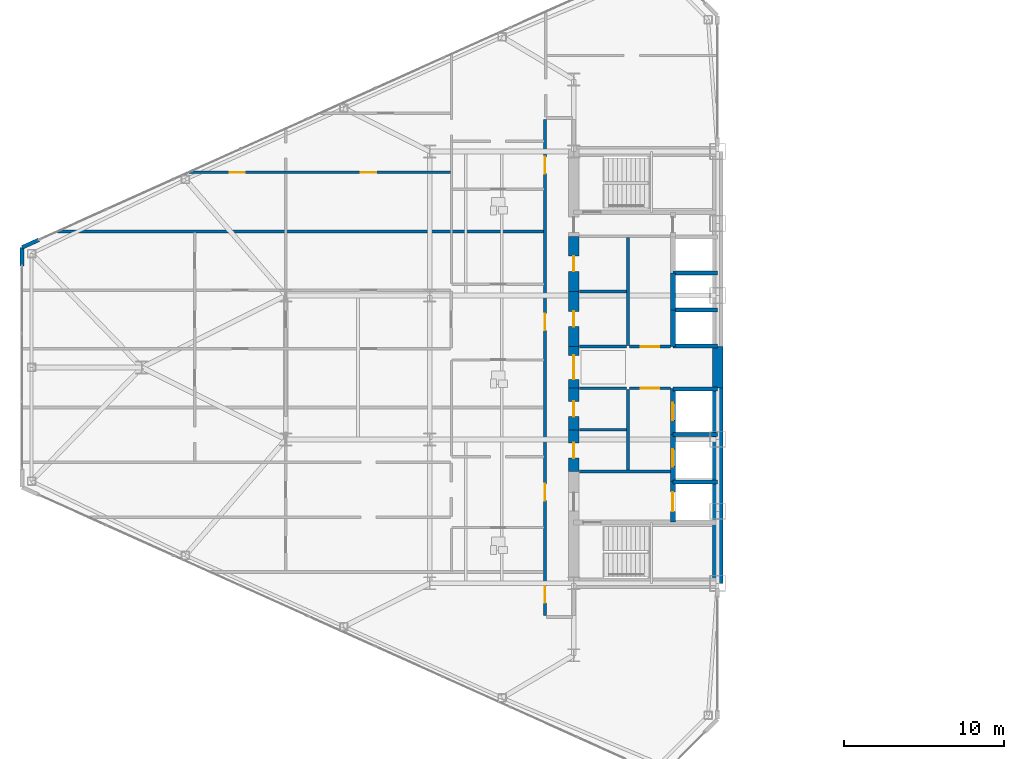
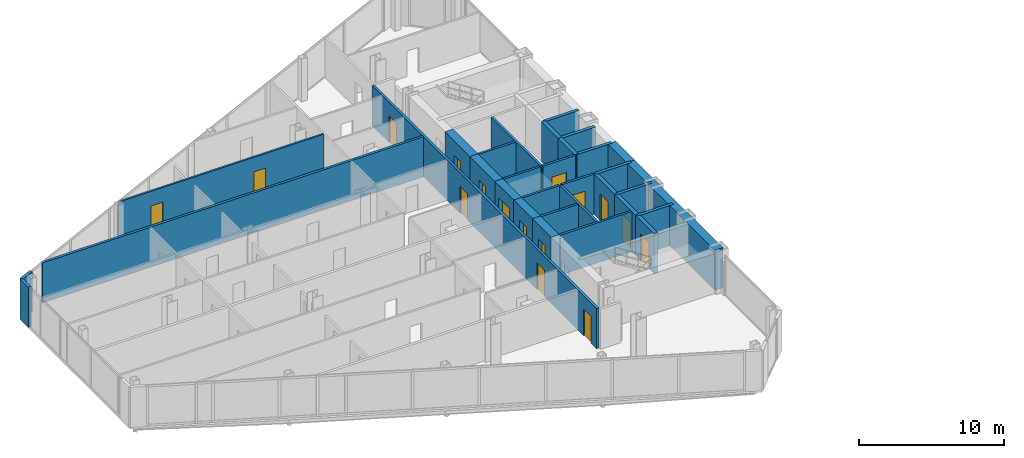
# One storey, part 20 of 27: 32 walls, 16 doors, 16 openings.
"""IFC4 building model written with IfcOpenShell, lengths in metres."""

from ifc_helpers import new_model, si_unit, direction, frame, frame_2d, origin, place, context, subcontext, project, spatial, rectangle, extrude, source, transform, mapped, material, layer, layer_set, type_object, type_shapes, element, fill, save


model = new_model("IFC4")

# Units and contexts
model_context = context("Model", 3, precision=1e-05, world=origin(), true_north=direction((0.0, 1.0)))
body_context = subcontext(model_context, "Body", "Model", "MODEL_VIEW")
ifc_project = project(units=[si_unit("LENGTHUNIT", "METRE"), si_unit("AREAUNIT", "SQUARE_METRE"), si_unit("VOLUMEUNIT", "CUBIC_METRE"), si_unit("PLANEANGLEUNIT", "RADIAN"), si_unit("MASSUNIT", "GRAM", prefix="KILO")], contexts=[model_context])

# Site, building, storey
site_placement = place(None, origin())
site = spatial("IfcSite", under=ifc_project, at=site_placement, CompositionType="ELEMENT")
building_placement = place(site_placement, origin())
building = spatial("IfcBuilding", under=site, at=building_placement, Name="Seokmaru Belvedere", CompositionType="ELEMENT")
storey_placement = place(building_placement, frame((0.0, 0.0, 92.39990234375)))
storey = spatial("IfcBuildingStorey", under=building, at=storey_placement, Name="L24", CompositionType="ELEMENT", Elevation=92.39990234375)

# Wall, openings, doors
ifc_material_1 = material(Name="Fire-Rated Gypsum Shaftwall")
ifc_layer_1 = layer(ifc_material_1, 0.14990234375)
ifc_layer_set_1 = layer_set([ifc_layer_1], Name="Fire-Rated Gypsum Shaftwall")
wall_type_1 = type_object("IfcWallType", Name="Apartment Fire-Acoustic Room Partition 150", PredefinedType="PARTITIONING", material=ifc_layer_set_1)
wall_1_placement = place(storey_placement, frame((-60.60302734375, 12.18994140625, 0.0), z_axis=(0.0, 0.0, 1.0), x_axis=(1.0, 0.0, 0.0)))
wall_1 = element("IfcWall", 1, at=wall_1_placement, inside=storey, type_object=wall_type_1, Name="L24 Interior Partition 024", PredefinedType="PARTITIONING", context=body_context, shape_type="SweptSolid", body=[
    extrude(rectangle(XDim=16.403076171875, YDim=0.14990234375, at=frame_2d((8.20166015625, 0.0))), origin(), (0.0, 0.0, 1.0), 3.380126953125),
])
opening_1_placement = place(wall_1_placement, frame((10.802978515625, 0.0, 0.0)))
opening_1 = element("IfcOpeningElement", 2, at=opening_1_placement, cuts=wall_1, Name="Opening D05", PredefinedType="OPENING", context=body_context, shape_type="SweptSolid", body=[
    extrude(rectangle(XDim=0.949951171875, YDim=2.14990234375, at=frame_2d((0.47509765625, 1.074951171875))), frame((0.0, 0.0849609375, 0.0), z_axis=(0.0, -1.0, 0.0), x_axis=(1.0, 0.0, 0.0)), (0.0, 0.0, 1.0), 0.169921875),
])
opening_2_placement = place(wall_1_placement, frame((2.59375, 0.0, 0.0)))
opening_2 = element("IfcOpeningElement", 3, at=opening_2_placement, cuts=wall_1, Name="Opening D05", PredefinedType="OPENING", context=body_context, shape_type="SweptSolid", body=[
    extrude(rectangle(XDim=0.949951171875, YDim=2.14990234375, at=frame_2d((0.47509765625, 1.074951171875))), frame((0.0, 0.0849609375, 0.0), z_axis=(0.0, -1.0, 0.0), x_axis=(1.0, 0.0, 0.0)), (0.0, 0.0, 1.0), 0.169921875),
])
ifc_material_2 = material(Name="Engineered White Oak Timber", Category="wood")
door_type_1 = type_object("IfcDoorType", Name="Apartment Interior Fire-Rated Oak Door 950x2150", OperationType="NOTDEFINED", PredefinedType="DOOR", material=ifc_material_2)
shared_shape_1 = source(origin(), body_context, "Body", "SweptSolid", [
    extrude(rectangle(XDim=0.949951171875, YDim=2.14990234375, at=frame_2d((0.47509765625, 1.074951171875))), frame((0.0, 0.02490234375, 0.0), z_axis=(0.0, -1.0, 0.0), x_axis=(1.0, 0.0, 0.0)), (0.0, 0.0, 1.0), 0.050048828125),
])
type_shapes(door_type_1, [shared_shape_1])
door_1_placement = place(opening_1_placement, origin())
door_1 = element("IfcDoor", 4, at=door_1_placement, inside=storey, type_object=door_type_1, Name="L24 Interior Door 029", OperationType="SINGLE_SWING_RIGHT", OverallHeight=2.14990234375, OverallWidth=0.949951171875, PredefinedType="DOOR", context=body_context, shape_type="MappedRepresentation", body=[
    mapped(shared_shape_1, transform((0.0, 0.0, 0.0), scale=1.0)),
])
fill(opening_1, door_1)
door_2_placement = place(opening_2_placement, origin())
door_2 = element("IfcDoor", 5, at=door_2_placement, inside=storey, type_object=door_type_1, Name="L24 Interior Door 031", OperationType="SINGLE_SWING_RIGHT", OverallHeight=2.14990234375, OverallWidth=0.949951171875, PredefinedType="DOOR", context=body_context, shape_type="MappedRepresentation", body=[
    mapped(shared_shape_1, transform((0.0, 0.0, 0.0), scale=1.0)),
])
fill(opening_2, door_2)

# Walls
ifc_layer_2 = layer(ifc_material_1, 0.179931640625)
ifc_layer_set_2 = layer_set([ifc_layer_2], Name="Fire-Rated Gypsum Shaftwall")
wall_type_2 = type_object("IfcWallType", Name="Core Service Fire Partition 180", PredefinedType="PARTITIONING", material=ifc_layer_set_2)
wall_2_placement = place(storey_placement, frame((-36.14990234375, -6.5, 0.0), z_axis=(0.0, 0.0, 1.0), x_axis=(1.0, 0.0, 0.0)))
element("IfcWall", 6, at=wall_2_placement, inside=storey, type_object=wall_type_2, Name="L24 West Firefighting Lobby Partition", PredefinedType="PARTITIONING", context=body_context, shape_type="SweptSolid", body=[
    extrude(rectangle(XDim=5.699951171875, YDim=0.179931640625, at=frame_2d((2.85009765625, 0.0))), origin(), (0.0, 0.0, 1.0), 3.380126953125),
])
wall_3_placement = place(storey_placement, frame((-33.10009765625, -6.419921875, 0.0), z_axis=(0.0, 0.0, 1.0), x_axis=(0.0, 1.0, 0.0)))
element("IfcWall", 7, at=wall_3_placement, inside=storey, type_object=wall_type_2, Name="L24 West South Core Service Back Wall", PredefinedType="PARTITIONING", context=body_context, shape_type="SweptSolid", body=[
    extrude(rectangle(XDim=5.0400390625, YDim=0.179931640625, at=frame_2d((2.52001953125, 0.0))), origin(), (0.0, 0.0, 1.0), 3.380126953125),
])
wall_4_placement = place(storey_placement, frame((-33.10009765625, 1.3798828125, 0.0), z_axis=(0.0, 0.0, 1.0), x_axis=(0.0, 1.0, 0.0)))
element("IfcWall", 8, at=wall_4_placement, inside=storey, type_object=wall_type_2, Name="L24 West North Core Service Back Wall", PredefinedType="PARTITIONING", context=body_context, shape_type="SweptSolid", body=[
    extrude(rectangle(XDim=6.740234375, YDim=0.179931640625, at=frame_2d((3.3701171875, 0.0))), origin(), (0.0, 0.0, 1.0), 3.380126953125),
])

# Wall, opening, door
wall_5_placement = place(storey_placement, frame((-33.02001953125, -1.300048828125, 0.0), z_axis=(0.0, 0.0, 1.0), x_axis=(1.0, 0.0, 0.0)))
wall_5 = element("IfcWall", 9, at=wall_5_placement, inside=storey, type_object=wall_type_2, Name="L24 West South Lift Lobby Foyer Wall", PredefinedType="PARTITIONING", context=body_context, shape_type="SweptSolid", body=[
    extrude(rectangle(XDim=2.570068359375, YDim=0.179931640625, at=frame_2d((1.28515625, 0.0))), origin(), (0.0, 0.0, 1.0), 3.380126953125),
])
opening_3_placement = place(wall_5_placement, frame((0.7099609375, 0.0, 0.0)))
opening_3 = element("IfcOpeningElement", 10, at=opening_3_placement, cuts=wall_5, Name="Opening D02", PredefinedType="OPENING", context=body_context, shape_type="SweptSolid", body=[
    extrude(rectangle(XDim=1.14990234375, YDim=2.199951171875, at=frame_2d((0.574951171875, 1.10009765625))), frame((0.0, 0.10009765625, 0.0), z_axis=(0.0, -1.0, 0.0), x_axis=(1.0, 0.0, 0.0)), (0.0, 0.0, 1.0), 0.199951171875),
])
ifc_material_3 = material(Name="Fire-Rated Steel Leaf", Category="steel")
door_type_2 = type_object("IfcDoorType", Name="Lobby and Vestibule Fire Door 1150x2200", OperationType="NOTDEFINED", PredefinedType="DOOR", material=ifc_material_3)
shared_shape_2 = source(origin(), body_context, "Body", "SweptSolid", [
    extrude(rectangle(XDim=1.14990234375, YDim=2.199951171875, at=frame_2d((0.574951171875, 1.10009765625))), frame((0.0, 0.02490234375, 0.0), z_axis=(0.0, -1.0, 0.0), x_axis=(1.0, 0.0, 0.0)), (0.0, 0.0, 1.0), 0.050048828125),
])
type_shapes(door_type_2, [shared_shape_2])
door_3_placement = place(opening_3_placement, origin())
door_3 = element("IfcDoor", 11, at=door_3_placement, inside=storey, type_object=door_type_2, Name="L24 West South Core Foyer Door", OperationType="SINGLE_SWING_LEFT", OverallHeight=2.199951171875, OverallWidth=1.14990234375, PredefinedType="DOOR", context=body_context, shape_type="MappedRepresentation", body=[
    mapped(shared_shape_2, transform((0.0, 0.0, 0.0), scale=1.0)),
])
fill(opening_3, door_3)

wall_6_placement = place(storey_placement, frame((-33.02001953125, 1.300048828125, 0.0), z_axis=(0.0, 0.0, 1.0), x_axis=(1.0, 0.0, 0.0)))
wall_6 = element("IfcWall", 12, at=wall_6_placement, inside=storey, type_object=wall_type_2, Name="L24 West North Lift Lobby Foyer Wall", PredefinedType="PARTITIONING", context=body_context, shape_type="SweptSolid", body=[
    extrude(rectangle(XDim=2.570068359375, YDim=0.179931640625, at=frame_2d((1.28515625, 0.0))), origin(), (0.0, 0.0, 1.0), 3.380126953125),
])
opening_4_placement = place(wall_6_placement, frame((0.7099609375, 0.0, 0.0)))
opening_4 = element("IfcOpeningElement", 13, at=opening_4_placement, cuts=wall_6, Name="Opening D02", PredefinedType="OPENING", context=body_context, shape_type="SweptSolid", body=[
    extrude(rectangle(XDim=1.14990234375, YDim=2.199951171875, at=frame_2d((0.574951171875, 1.10009765625))), frame((0.0, 0.10009765625, 0.0), z_axis=(0.0, -1.0, 0.0), x_axis=(1.0, 0.0, 0.0)), (0.0, 0.0, 1.0), 0.199951171875),
])
door_4_placement = place(opening_4_placement, origin())
door_4 = element("IfcDoor", 14, at=door_4_placement, inside=storey, type_object=door_type_2, Name="L24 West North Lift Lobby Door", OperationType="SINGLE_SWING_RIGHT", OverallHeight=2.199951171875, OverallWidth=1.14990234375, PredefinedType="DOOR", context=body_context, shape_type="MappedRepresentation", body=[
    mapped(shared_shape_2, transform((0.0, 0.0, 0.0), scale=1.0)),
])
fill(opening_4, door_4)

# Walls
for number, where, z_axis, x_axis, name in (
    (15, (-36.14990234375, -1.300048828125, 0.0), (0.0, 0.0, 1.0), (1.0, 0.0, 0.0), "L24 West Foyer Side Wall S"),
    (16, (-36.14990234375, 1.300048828125, 0.0), (0.0, 0.0, 1.0), (1.0, 0.0, 0.0), "L24 West Foyer Side Wall N"),
    (17, (-36.14990234375, -3.89990234375, 0.0), (0.0, 0.0, 1.0), (1.0, 0.0, 0.0), "L24 West Core Service Partition 1"),
    (18, (-36.14990234375, 4.75, 0.0), (0.0, 0.0, 1.0), (1.0, 0.0, 0.0), "L24 West Core Service Partition 2"),
):
    element("IfcWall", number, at=place(storey_placement, frame(where, z_axis=z_axis, x_axis=x_axis)), inside=storey, type_object=wall_type_2, Name=name, PredefinedType="PARTITIONING", context=body_context, shape_type="SweptSolid", body=[
        extrude(rectangle(XDim=2.949951171875, YDim=0.179931640625, at=frame_2d((1.47509765625, 0.0))), origin(), (0.0, 0.0, 1.0), 3.380126953125),
    ])
ifc_material_4 = material(Name="Concrete C50 (50 MPa)", Category="concrete")
ifc_layer_3 = layer(ifc_material_4, 0.25)
ifc_layer_set_3 = layer_set([ifc_layer_3], Name="Concrete C50 (50 MPa)")
wall_type_3 = type_object("IfcWallType", Name="Hoistway Transverse Concrete Divider Wall 250", PredefinedType="SHEAR", material=ifc_layer_set_3)
for number, where, z_axis, x_axis, name in (
    (19, (-30.300048828125, -7.14990234375, 0.0), (0.0, 0.0, 1.0), (1.0, 0.0, 0.0), "L24 West Hoistway Divider Core Wall 1"),
    (20, (-30.300048828125, -4.199951171875, 0.0), (0.0, 0.0, 1.0), (1.0, 0.0, 0.0), "L24 West Hoistway Divider Core Wall 2"),
    (21, (-30.300048828125, -1.35009765625, 0.0), (0.0, 0.0, 1.0), (1.0, 0.0, 0.0), "L24 West Hoistway Divider Core Wall 3"),
    (22, (-30.300048828125, 1.35009765625, 0.0), (0.0, 0.0, 1.0), (1.0, 0.0, 0.0), "L24 West Hoistway Divider Core Wall 4"),
    (23, (-30.300048828125, 3.60009765625, 0.0), (0.0, 0.0, 1.0), (1.0, 0.0, 0.0), "L24 West Hoistway Divider Core Wall 5"),
    (24, (-30.300048828125, 5.89990234375, 0.0), (0.0, 0.0, 1.0), (1.0, 0.0, 0.0), "L24 West Hoistway Divider Core Wall 6"),
):
    element("IfcWall", number, at=place(storey_placement, frame(where, z_axis=z_axis, x_axis=x_axis)), inside=storey, type_object=wall_type_3, Name=name, PredefinedType="SHEAR", context=body_context, shape_type="SweptSolid", body=[
        extrude(rectangle(XDim=2.800048828125, YDim=0.25, at=frame_2d((1.39990234375, 0.0))), origin(), (0.0, 0.0, 1.0), 3.380126953125),
    ])
ifc_layer_4 = layer(ifc_material_1, 0.199951171875)
ifc_layer_set_4 = layer_set([ifc_layer_4], Name="Fire-Rated Gypsum Shaftwall")
wall_type_4 = type_object("IfcWallType", Name="Inter-Tenancy Fire Compartment Partition 200", PredefinedType="PARTITIONING", material=ifc_layer_set_4)
wall_7_placement = place(storey_placement, frame((-68.7900390625, 8.5, 0.0), z_axis=(0.0, 0.0, 1.0), x_axis=(1.0, 0.0, 0.0)))
element("IfcWall", 25, at=wall_7_placement, inside=storey, type_object=wall_type_4, Name="L24 Interior Partition 021", PredefinedType="PARTITIONING", context=body_context, shape_type="SweptSolid", body=[
    extrude(rectangle(XDim=30.41015625, YDim=0.199951171875, at=frame_2d((15.205078125, 0.0))), origin(), (0.0, 0.0, 1.0), 3.380126953125),
])

# Wall, openings, doors
wall_8_placement = place(storey_placement, frame((-38.300048828125, -15.514892578125, 0.0), z_axis=(0.0, 0.0, 1.0), x_axis=(0.0, 1.0, 0.0)))
wall_8 = element("IfcWall", 26, at=wall_8_placement, inside=storey, type_object=wall_type_4, Name="L24 Interior Partition 039", PredefinedType="PARTITIONING", context=body_context, shape_type="SweptSolid", body=[
    extrude(rectangle(XDim=31.02978515625, YDim=0.199951171875, at=frame_2d((15.514892578125, 0.0))), origin(), (0.0, 0.0, 1.0), 3.380126953125),
])
opening_5_placement = place(wall_8_placement, frame((0.7900390625, 0.0, 0.0)))
opening_5 = element("IfcOpeningElement", 27, at=opening_5_placement, cuts=wall_8, Name="Opening D03", PredefinedType="OPENING", context=body_context, shape_type="SweptSolid", body=[
    extrude(rectangle(XDim=1.050048828125, YDim=2.25, at=frame_2d((0.52490234375, 1.125))), frame((0.0, 0.10986328125, 0.0), z_axis=(0.0, -1.0, 0.0), x_axis=(1.0, 0.0, 0.0)), (0.0, 0.0, 1.0), 0.219970703125),
])
opening_6_placement = place(wall_8_placement, frame((7.185546875, 0.0, 0.0)))
opening_6 = element("IfcOpeningElement", 28, at=opening_6_placement, cuts=wall_8, Name="Opening D03", PredefinedType="OPENING", context=body_context, shape_type="SweptSolid", body=[
    extrude(rectangle(XDim=1.050048828125, YDim=2.25, at=frame_2d((0.52490234375, 1.125))), frame((0.0, 0.10986328125, 0.0), z_axis=(0.0, -1.0, 0.0), x_axis=(1.0, 0.0, 0.0)), (0.0, 0.0, 1.0), 0.219970703125),
])
opening_7_placement = place(wall_8_placement, frame((17.824951171875, 0.0, 0.0)))
opening_7 = element("IfcOpeningElement", 29, at=opening_7_placement, cuts=wall_8, Name="Opening D03", PredefinedType="OPENING", context=body_context, shape_type="SweptSolid", body=[
    extrude(rectangle(XDim=1.050048828125, YDim=2.25, at=frame_2d((0.52490234375, 1.125))), frame((0.0, 0.10986328125, 0.0), z_axis=(0.0, -1.0, 0.0), x_axis=(1.0, 0.0, 0.0)), (0.0, 0.0, 1.0), 0.219970703125),
])
opening_8_placement = place(wall_8_placement, frame((27.635009765625, 0.0, 0.0)))
opening_8 = element("IfcOpeningElement", 30, at=opening_8_placement, cuts=wall_8, Name="Opening D03", PredefinedType="OPENING", context=body_context, shape_type="SweptSolid", body=[
    extrude(rectangle(XDim=1.050048828125, YDim=2.25, at=frame_2d((0.52490234375, 1.125))), frame((0.0, 0.10986328125, 0.0), z_axis=(0.0, -1.0, 0.0), x_axis=(1.0, 0.0, 0.0)), (0.0, 0.0, 1.0), 0.219970703125),
])
door_type_3 = type_object("IfcDoorType", Name="Apartment Entrance Fire Door 1050x2250", OperationType="NOTDEFINED", PredefinedType="DOOR", material=ifc_material_3)
shared_shape_3 = source(origin(), body_context, "Body", "SweptSolid", [
    extrude(rectangle(XDim=1.050048828125, YDim=2.25, at=frame_2d((0.52490234375, 1.125))), frame((0.0, 0.02490234375, 0.0), z_axis=(0.0, -1.0, 0.0), x_axis=(1.0, 0.0, 0.0)), (0.0, 0.0, 1.0), 0.050048828125),
])
type_shapes(door_type_3, [shared_shape_3])
door_5_placement = place(opening_5_placement, origin())
door_5 = element("IfcDoor", 31, at=door_5_placement, inside=storey, type_object=door_type_3, Name="L24 Interior Door 001", OperationType="SINGLE_SWING_RIGHT", OverallHeight=2.25, OverallWidth=1.050048828125, PredefinedType="DOOR", context=body_context, shape_type="MappedRepresentation", body=[
    mapped(shared_shape_3, transform((0.0, 0.0, 0.0), scale=1.0)),
])
fill(opening_5, door_5)
door_6_placement = place(opening_6_placement, origin())
door_6 = element("IfcDoor", 32, at=door_6_placement, inside=storey, type_object=door_type_3, Name="L24 Interior Door 002", OperationType="SINGLE_SWING_LEFT", OverallHeight=2.25, OverallWidth=1.050048828125, PredefinedType="DOOR", context=body_context, shape_type="MappedRepresentation", body=[
    mapped(shared_shape_3, transform((0.0, 0.0, 0.0), scale=1.0)),
])
fill(opening_6, door_6)
door_7_placement = place(opening_7_placement, origin())
door_7 = element("IfcDoor", 33, at=door_7_placement, inside=storey, type_object=door_type_3, Name="L24 Interior Door 012", OperationType="SINGLE_SWING_RIGHT", OverallHeight=2.25, OverallWidth=1.050048828125, PredefinedType="DOOR", context=body_context, shape_type="MappedRepresentation", body=[
    mapped(shared_shape_3, transform((0.0, 0.0, 0.0), scale=1.0)),
])
fill(opening_7, door_7)
door_8_placement = place(opening_8_placement, origin())
door_8 = element("IfcDoor", 34, at=door_8_placement, inside=storey, type_object=door_type_3, Name="L24 Interior Door 024", OperationType="SINGLE_SWING_LEFT", OverallHeight=2.25, OverallWidth=1.050048828125, PredefinedType="DOOR", context=body_context, shape_type="MappedRepresentation", body=[
    mapped(shared_shape_3, transform((0.0, 0.0, 0.0), scale=1.0)),
])
fill(opening_8, door_8)

# Wall, opening, door
ifc_layer_5 = layer(ifc_material_4, 0.300048828125)
ifc_layer_set_5 = layer_set([ifc_layer_5], Name="Concrete C50 (50 MPa)")
wall_type_5 = type_object("IfcWallType", Name="Internal Core Stair and Hoistway Wall 300", PredefinedType="SHEAR", material=ifc_layer_set_5)
wall_9_placement = place(storey_placement, frame((-30.300048828125, -9.679931640625, 0.0), z_axis=(0.0, 0.0, 1.0), x_axis=(0.0, 1.0, 0.0)))
wall_9 = element("IfcWall", 35, at=wall_9_placement, inside=storey, type_object=wall_type_5, Name="L24 West Firefighting Lift Shaft Front Wall", PredefinedType="SHEAR", context=body_context, shape_type="SweptSolid", body=[
    extrude(rectangle(XDim=2.559814453125, YDim=0.300048828125, at=frame_2d((1.27978515625, 0.0))), origin(), (0.0, 0.0, 1.0), 3.380126953125),
])
opening_9_placement = place(wall_9_placement, frame((0.679931640625, 0.0, 0.0)))
opening_9 = element("IfcOpeningElement", 36, at=opening_9_placement, cuts=wall_9, Name="Opening LD2", PredefinedType="OPENING", context=body_context, shape_type="SweptSolid", body=[
    extrude(rectangle(XDim=1.199951171875, YDim=2.25, at=frame_2d((0.60009765625, 1.125))), frame((0.0, 0.16015625, 0.0), z_axis=(0.0, -1.0, 0.0), x_axis=(1.0, 0.0, 0.0)), (0.0, 0.0, 1.0), 0.320068359375),
])
ifc_material_5 = material(Name="Stainless Steel 316", Category="steel")
door_type_4 = type_object("IfcDoorType", Name="Firefighting Lift Sliding Landing Door 1200x2250", OperationType="DOUBLE_DOOR_SLIDING", PredefinedType="DOOR", material=ifc_material_5)
shared_shape_4 = source(origin(), body_context, "Body", "SweptSolid", [
    extrude(rectangle(XDim=1.199951171875, YDim=2.25, at=frame_2d((0.60009765625, 1.125))), frame((0.0, 0.02490234375, 0.0), z_axis=(0.0, -1.0, 0.0), x_axis=(1.0, 0.0, 0.0)), (0.0, 0.0, 1.0), 0.050048828125),
])
type_shapes(door_type_4, [shared_shape_4])
door_9_placement = place(opening_9_placement, origin())
door_9 = element("IfcDoor", 37, at=door_9_placement, inside=storey, type_object=door_type_4, Name="L24 West Firefighting Lift Landing Door", OperationType="DOUBLE_DOOR_SLIDING", OverallHeight=2.25, OverallWidth=1.199951171875, PredefinedType="DOOR", context=body_context, shape_type="MappedRepresentation", body=[
    mapped(shared_shape_4, transform((0.0, 0.0, 0.0), scale=1.0)),
])
fill(opening_9, door_9)

wall_10_placement = place(storey_placement, frame((-30.300048828125, -7.1201171875, 0.0), z_axis=(0.0, 0.0, 1.0), x_axis=(0.0, 1.0, 0.0)))
wall_10 = element("IfcWall", 38, at=wall_10_placement, inside=storey, type_object=wall_type_5, Name="L24 West Low-Rise Lift PL-1 Front Wall", PredefinedType="SHEAR", context=body_context, shape_type="SweptSolid", body=[
    extrude(rectangle(XDim=2.920166015625, YDim=0.300048828125, at=frame_2d((1.4599609375, 0.0))), origin(), (0.0, 0.0, 1.0), 3.380126953125),
])
opening_10_placement = place(wall_10_placement, frame((0.909912109375, 0.0, 0.0)))
opening_10 = element("IfcOpeningElement", 39, at=opening_10_placement, cuts=wall_10, Name="Opening LD1", PredefinedType="OPENING", context=body_context, shape_type="SweptSolid", body=[
    extrude(rectangle(XDim=1.10009765625, YDim=2.199951171875, at=frame_2d((0.550048828125, 1.10009765625))), frame((0.0, 0.16015625, 0.0), z_axis=(0.0, -1.0, 0.0), x_axis=(1.0, 0.0, 0.0)), (0.0, 0.0, 1.0), 0.320068359375),
])
door_type_5 = type_object("IfcDoorType", Name="Passenger Lift Sliding Landing Door 1100x2200", OperationType="DOUBLE_DOOR_SLIDING", PredefinedType="DOOR", material=ifc_material_5)
shared_shape_5 = source(origin(), body_context, "Body", "SweptSolid", [
    extrude(rectangle(XDim=1.10009765625, YDim=2.199951171875, at=frame_2d((0.550048828125, 1.10009765625))), frame((0.0, 0.02490234375, 0.0), z_axis=(0.0, -1.0, 0.0), x_axis=(1.0, 0.0, 0.0)), (0.0, 0.0, 1.0), 0.050048828125),
])
type_shapes(door_type_5, [shared_shape_5])
door_10_placement = place(opening_10_placement, origin())
door_10 = element("IfcDoor", 40, at=door_10_placement, inside=storey, type_object=door_type_5, Name="L24 West Low-Rise Lift PL-1 Landing Door", OperationType="DOUBLE_DOOR_SLIDING", OverallHeight=2.199951171875, OverallWidth=1.10009765625, PredefinedType="DOOR", context=body_context, shape_type="MappedRepresentation", body=[
    mapped(shared_shape_5, transform((0.0, 0.0, 0.0), scale=1.0)),
])
fill(opening_10, door_10)

wall_11_placement = place(storey_placement, frame((-30.300048828125, -4.199951171875, 0.0), z_axis=(0.0, 0.0, 1.0), x_axis=(0.0, 1.0, 0.0)))
wall_11 = element("IfcWall", 41, at=wall_11_placement, inside=storey, type_object=wall_type_5, Name="L24 West Low-Rise Lift PL-2 Front Wall", PredefinedType="SHEAR", context=body_context, shape_type="SweptSolid", body=[
    extrude(rectangle(XDim=2.8798828125, YDim=0.300048828125, at=frame_2d((1.43994140625, 0.0))), origin(), (0.0, 0.0, 1.0), 3.380126953125),
])
opening_11_placement = place(wall_11_placement, frame((0.889892578125, 0.0, 0.0)))
opening_11 = element("IfcOpeningElement", 42, at=opening_11_placement, cuts=wall_11, Name="Opening LD1", PredefinedType="OPENING", context=body_context, shape_type="SweptSolid", body=[
    extrude(rectangle(XDim=1.10009765625, YDim=2.199951171875, at=frame_2d((0.550048828125, 1.10009765625))), frame((0.0, 0.16015625, 0.0), z_axis=(0.0, -1.0, 0.0), x_axis=(1.0, 0.0, 0.0)), (0.0, 0.0, 1.0), 0.320068359375),
])
door_11_placement = place(opening_11_placement, origin())
door_11 = element("IfcDoor", 43, at=door_11_placement, inside=storey, type_object=door_type_5, Name="L24 West Low-Rise Lift PL-2 Landing Door", OperationType="DOUBLE_DOOR_SLIDING", OverallHeight=2.199951171875, OverallWidth=1.10009765625, PredefinedType="DOOR", context=body_context, shape_type="MappedRepresentation", body=[
    mapped(shared_shape_5, transform((0.0, 0.0, 0.0), scale=1.0)),
])
fill(opening_11, door_11)

# Walls
wall_12_placement = place(storey_placement, frame((-30.300048828125, 1.320068359375, 0.0), z_axis=(0.0, 0.0, 1.0), x_axis=(0.0, 1.0, 0.0)))
element("IfcWall", 44, at=wall_12_placement, inside=storey, type_object=wall_type_5, Name="L24 West North Hoistway Wall PH1", PredefinedType="SHEAR", context=body_context, shape_type="SweptSolid", body=[
    extrude(rectangle(XDim=2.280029296875, YDim=0.300048828125, at=frame_2d((1.14013671875, 0.0))), origin(), (0.0, 0.0, 1.0), 3.380126953125),
])
wall_13_placement = place(storey_placement, frame((-30.300048828125, 3.60009765625, 0.0), z_axis=(0.0, 0.0, 1.0), x_axis=(0.0, 1.0, 0.0)))
element("IfcWall", 45, at=wall_13_placement, inside=storey, type_object=wall_type_5, Name="L24 West North Hoistway Wall PH2", PredefinedType="SHEAR", context=body_context, shape_type="SweptSolid", body=[
    extrude(rectangle(XDim=2.2998046875, YDim=0.300048828125, at=frame_2d((1.14990234375, 0.0))), origin(), (0.0, 0.0, 1.0), 3.380126953125),
])
ifc_material_6 = material(Name="Concrete C60 (60 MPa)", Category="concrete")
ifc_layer_6 = layer(ifc_material_6, 0.64990234375)
ifc_layer_set_6 = layer_set([ifc_layer_6], Name="Concrete C60 (60 MPa)")
wall_type_6 = type_object("IfcWallType", Name="Mid-Low Reinforced Concrete Core Wall 650", PredefinedType="SHEAR", material=ifc_layer_set_6)
wall_14_placement = place(storey_placement, frame((-27.5, -13.5, 0.0), z_axis=(0.0, 0.0, 1.0), x_axis=(0.0, 1.0, 0.0)))
element("IfcWall", 46, at=wall_14_placement, inside=storey, type_object=wall_type_6, Name="L24 West Portal Spine Core Wall South", PredefinedType="SHEAR", context=body_context, shape_type="SweptSolid", body=[
    extrude(rectangle(XDim=12.199951171875, YDim=0.64990234375, at=frame_2d((6.10009765625, 0.0))), origin(), (0.0, 0.0, 1.0), 3.380126953125),
])
wall_15_placement = place(storey_placement, frame((-27.5, -1.300048828125, 0.0), z_axis=(0.0, 0.0, 1.0), x_axis=(0.0, 1.0, 0.0)))
element("IfcWall", 47, at=wall_15_placement, inside=storey, type_object=wall_type_6, Name="L24 West Portal Spine Core Wall Center", PredefinedType="SHEAR", context=body_context, shape_type="SweptSolid", body=[
    extrude(rectangle(XDim=2.60009765625, YDim=0.64990234375, at=frame_2d((1.300048828125, 0.0))), origin(), (0.0, 0.0, 1.0), 3.380126953125),
])

# Wall, opening, door
wall_16_placement = place(storey_placement, frame((-36.5, -1.300048828125, 0.0), z_axis=(0.0, 0.0, 1.0), x_axis=(0.0, 1.0, 0.0)))
wall_16 = element("IfcWall", 48, at=wall_16_placement, inside=storey, type_object=wall_type_6, Name="L24 West West Core Wall FOY", PredefinedType="SHEAR", context=body_context, shape_type="SweptSolid", body=[
    extrude(rectangle(XDim=2.60009765625, YDim=0.64990234375, at=frame_2d((1.300048828125, 0.0))), origin(), (0.0, 0.0, 1.0), 3.380126953125),
])
opening_12_placement = place(wall_16_placement, frame((0.550048828125, 0.0, 0.0)))
opening_12 = element("IfcOpeningElement", 49, at=opening_12_placement, cuts=wall_16, Name="Opening D08", PredefinedType="OPENING", context=body_context, shape_type="SweptSolid", body=[
    extrude(rectangle(XDim=1.5, YDim=2.300048828125, at=frame_2d((0.75, 1.14990234375))), frame((0.0, 0.3349609375, 0.0), z_axis=(0.0, -1.0, 0.0), x_axis=(1.0, 0.0, 0.0)), (0.0, 0.0, 1.0), 0.669921875),
])
door_type_6 = type_object("IfcDoorType", Name="Cross-Corridor Compartment Double Fire Door 1500x2300", OperationType="DOUBLE_SWING_LEFT", PredefinedType="DOOR", material=ifc_material_3)
shared_shape_6 = source(origin(), body_context, "Body", "SweptSolid", [
    extrude(rectangle(XDim=1.5, YDim=2.300048828125, at=frame_2d((0.75, 1.14990234375))), frame((0.0, 0.02490234375, 0.0), z_axis=(0.0, -1.0, 0.0), x_axis=(1.0, 0.0, 0.0)), (0.0, 0.0, 1.0), 0.050048828125),
])
type_shapes(door_type_6, [shared_shape_6])
door_12_placement = place(opening_12_placement, origin())
door_12 = element("IfcDoor", 50, at=door_12_placement, inside=storey, type_object=door_type_6, Name="L24 West Core Foyer Compartment Door", OperationType="DOUBLE_SWING_LEFT", OverallHeight=2.300048828125, OverallWidth=1.5, PredefinedType="DOOR", context=body_context, shape_type="MappedRepresentation", body=[
    mapped(shared_shape_6, transform((0.0, 0.0, 0.0), scale=1.0)),
])
fill(opening_12, door_12)

wall_17_placement = place(storey_placement, frame((-36.5, -6.5, 0.0), z_axis=(0.0, 0.0, 1.0), x_axis=(0.0, 1.0, 0.0)))
wall_17 = element("IfcWall", 51, at=wall_17_placement, inside=storey, type_object=wall_type_6, Name="L24 West West Core Wall CS1", PredefinedType="SHEAR", context=body_context, shape_type="SweptSolid", body=[
    extrude(rectangle(XDim=2.60009765625, YDim=0.64990234375, at=frame_2d((1.300048828125, 0.0))), origin(), (0.0, 0.0, 1.0), 3.380126953125),
])
opening_13_placement = place(wall_17_placement, frame((0.824951171875, 0.0, 0.0)))
opening_13 = element("IfcOpeningElement", 52, at=opening_13_placement, cuts=wall_17, Name="Opening D04", PredefinedType="OPENING", context=body_context, shape_type="SweptSolid", body=[
    extrude(rectangle(XDim=0.949951171875, YDim=2.14990234375, at=frame_2d((0.47509765625, 1.074951171875))), frame((0.0, 0.3349609375, 0.0), z_axis=(0.0, -1.0, 0.0), x_axis=(1.0, 0.0, 0.0)), (0.0, 0.0, 1.0), 0.669921875),
])
door_type_7 = type_object("IfcDoorType", Name="Core Service Room Fire Door 950x2150", OperationType="NOTDEFINED", PredefinedType="DOOR", material=ifc_material_3)
shared_shape_7 = source(origin(), body_context, "Body", "SweptSolid", [
    extrude(rectangle(XDim=0.949951171875, YDim=2.14990234375, at=frame_2d((0.47509765625, 1.074951171875))), frame((0.0, 0.02490234375, 0.0), z_axis=(0.0, -1.0, 0.0), x_axis=(1.0, 0.0, 0.0)), (0.0, 0.0, 1.0), 0.050048828125),
])
type_shapes(door_type_7, [shared_shape_7])
door_13_placement = place(opening_13_placement, origin())
door_13 = element("IfcDoor", 53, at=door_13_placement, inside=storey, type_object=door_type_7, Name="L24 West Core Service Room Door 1", OperationType="SINGLE_SWING_LEFT", OverallHeight=2.14990234375, OverallWidth=0.949951171875, PredefinedType="DOOR", context=body_context, shape_type="MappedRepresentation", body=[
    mapped(shared_shape_7, transform((0.0, 0.0, 0.0), scale=1.0)),
])
fill(opening_13, door_13)

wall_18_placement = place(storey_placement, frame((-36.5, -3.89990234375, 0.0), z_axis=(0.0, 0.0, 1.0), x_axis=(0.0, 1.0, 0.0)))
wall_18 = element("IfcWall", 54, at=wall_18_placement, inside=storey, type_object=wall_type_6, Name="L24 West West Core Wall CS2", PredefinedType="SHEAR", context=body_context, shape_type="SweptSolid", body=[
    extrude(rectangle(XDim=2.599853515625, YDim=0.64990234375, at=frame_2d((1.2998046875, 0.0))), origin(), (0.0, 0.0, 1.0), 3.380126953125),
])
opening_14_placement = place(wall_18_placement, frame((0.824951171875, 0.0, 0.0)))
opening_14 = element("IfcOpeningElement", 55, at=opening_14_placement, cuts=wall_18, Name="Opening D04", PredefinedType="OPENING", context=body_context, shape_type="SweptSolid", body=[
    extrude(rectangle(XDim=0.949951171875, YDim=2.14990234375, at=frame_2d((0.47509765625, 1.074951171875))), frame((0.0, 0.3349609375, 0.0), z_axis=(0.0, -1.0, 0.0), x_axis=(1.0, 0.0, 0.0)), (0.0, 0.0, 1.0), 0.669921875),
])
door_14_placement = place(opening_14_placement, origin())
door_14 = element("IfcDoor", 56, at=door_14_placement, inside=storey, type_object=door_type_7, Name="L24 West Core Service Room Door 2", OperationType="SINGLE_SWING_RIGHT", OverallHeight=2.14990234375, OverallWidth=0.949951171875, PredefinedType="DOOR", context=body_context, shape_type="MappedRepresentation", body=[
    mapped(shared_shape_7, transform((0.0, 0.0, 0.0), scale=1.0)),
])
fill(opening_14, door_14)

wall_19_placement = place(storey_placement, frame((-36.5, 1.300048828125, 0.0), z_axis=(0.0, 0.0, 1.0), x_axis=(0.0, 1.0, 0.0)))
wall_19 = element("IfcWall", 57, at=wall_19_placement, inside=storey, type_object=wall_type_6, Name="L24 West West Core Wall CS3", PredefinedType="SHEAR", context=body_context, shape_type="SweptSolid", body=[
    extrude(rectangle(XDim=3.449951171875, YDim=0.64990234375, at=frame_2d((1.72509765625, 0.0))), origin(), (0.0, 0.0, 1.0), 3.380126953125),
])
opening_15_placement = place(wall_19_placement, frame((1.25, 0.0, 0.0)))
opening_15 = element("IfcOpeningElement", 58, at=opening_15_placement, cuts=wall_19, Name="Opening D04", PredefinedType="OPENING", context=body_context, shape_type="SweptSolid", body=[
    extrude(rectangle(XDim=0.949951171875, YDim=2.14990234375, at=frame_2d((0.47509765625, 1.074951171875))), frame((0.0, 0.3349609375, 0.0), z_axis=(0.0, -1.0, 0.0), x_axis=(1.0, 0.0, 0.0)), (0.0, 0.0, 1.0), 0.669921875),
])
door_15_placement = place(opening_15_placement, origin())
door_15 = element("IfcDoor", 59, at=door_15_placement, inside=storey, type_object=door_type_7, Name="L24 West Core Service Room Door 3", OperationType="SINGLE_SWING_LEFT", OverallHeight=2.14990234375, OverallWidth=0.949951171875, PredefinedType="DOOR", context=body_context, shape_type="MappedRepresentation", body=[
    mapped(shared_shape_7, transform((0.0, 0.0, 0.0), scale=1.0)),
])
fill(opening_15, door_15)

wall_20_placement = place(storey_placement, frame((-36.5, 4.75, 0.0), z_axis=(0.0, 0.0, 1.0), x_axis=(0.0, 1.0, 0.0)))
wall_20 = element("IfcWall", 60, at=wall_20_placement, inside=storey, type_object=wall_type_6, Name="L24 West West Core Wall CS4", PredefinedType="SHEAR", context=body_context, shape_type="SweptSolid", body=[
    extrude(rectangle(XDim=3.449951171875, YDim=0.64990234375, at=frame_2d((1.72509765625, 0.0))), origin(), (0.0, 0.0, 1.0), 3.380126953125),
])
opening_16_placement = place(wall_20_placement, frame((1.25, 0.0, 0.0)))
opening_16 = element("IfcOpeningElement", 61, at=opening_16_placement, cuts=wall_20, Name="Opening D04", PredefinedType="OPENING", context=body_context, shape_type="SweptSolid", body=[
    extrude(rectangle(XDim=0.949951171875, YDim=2.14990234375, at=frame_2d((0.47509765625, 1.074951171875))), frame((0.0, 0.3349609375, 0.0), z_axis=(0.0, -1.0, 0.0), x_axis=(1.0, 0.0, 0.0)), (0.0, 0.0, 1.0), 0.669921875),
])
door_16_placement = place(opening_16_placement, origin())
door_16 = element("IfcDoor", 62, at=door_16_placement, inside=storey, type_object=door_type_7, Name="L24 West Core Service Room Door 4", OperationType="SINGLE_SWING_RIGHT", OverallHeight=2.14990234375, OverallWidth=0.949951171875, PredefinedType="DOOR", context=body_context, shape_type="MappedRepresentation", body=[
    mapped(shared_shape_7, transform((0.0, 0.0, 0.0), scale=1.0)),
])
fill(opening_16, door_16)

# Walls
ifc_material_7 = material(Name="Anodised Bronze Aluminium", Category="aluminium")
ifc_layer_7 = layer(ifc_material_7, 0.239990234375)
ifc_layer_set_7 = layer_set([ifc_layer_7], Name="Anodised Bronze Aluminium")
wall_type_7 = type_object("IfcWallType", Name="Tower Corner Spandrel Closure Wall 240", PredefinedType="SOLIDWALL", material=ifc_layer_set_7)
for number, where, z_axis, x_axis, name in (
    (63, (-69.951416015625, 7.971923828125, 0.0), (0.0, 0.0, 1.0), (-0.911929519623, -0.410346866979, 0.0), "L24 W Corner Closure Pier 3B"),
    (64, (-71.0, 7.489990234375, 0.0), (0.0, 0.0, 1.0), (0.0, -1.0, 0.0), "L24 W Corner Closure Pier 4A"),
):
    element("IfcWall", number, at=place(storey_placement, frame(where, z_axis=z_axis, x_axis=x_axis)), inside=storey, type_object=wall_type_7, Name=name, PredefinedType="SOLIDWALL", context=body_context, shape_type="SweptSolid", body=[
        extrude(rectangle(XDim=1.139892578125, YDim=0.239990234375, at=frame_2d((0.56982421875, 0.0))), origin(), (0.0, 0.0, 1.0), 3.380126953125),
    ])

save(model, "model.ifc")
